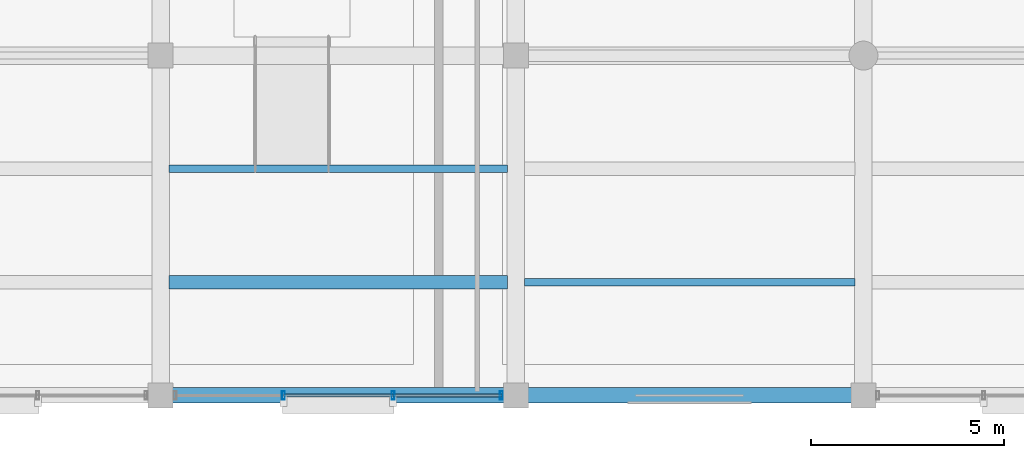
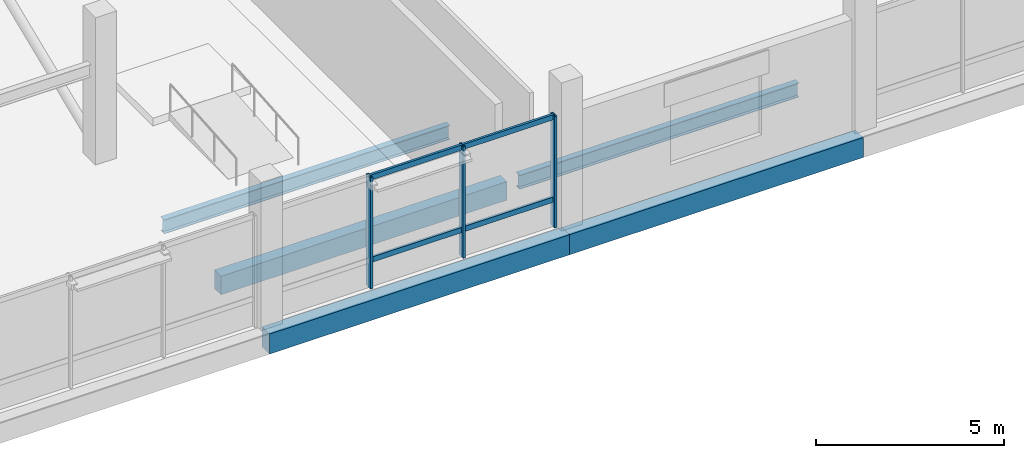
# One storey, part 14 of 71: 7 members, 5 beams, 1 element without a shape of its own.
"""IFC4 building model written with IfcOpenShell, lengths in metres."""

import ifcopenshell
import ifcopenshell.guid

model = None  # the IFC model being written
_history = None  # IfcOwnerHistory: only IFC2X3 demands one
_inside = {}  # id of a spatial element -> (the spatial element, [elements in it])
_under = {}  # id of a project, library or spatial element -> (it, [spatial elements below it])
_declared = {}  # id of a project -> (the project, [libraries it declares])
_typed = {}  # id of a type object -> (the type object, [elements of that type])
_made_of = {}  # id of a material, layer set ... -> (it, [elements and type objects made of it])


def new_model(schema):
    """Start an empty IFC model of exactly this schema.

    Asked for "IFC4X3", IfcOpenShell would pick the latest addendum, in which some entities
    have other attributes; the version numbers below select the first issue.
    IFC2X3 requires an IfcOwnerHistory on every rooted entity: one is made here for all.
    """
    global model, _history
    if schema == "IFC4X3":
        model = ifcopenshell.file(schema_version=(4, 3, 0, 0))
    else:
        model = ifcopenshell.file(schema=schema)
    _inside.clear()
    _under.clear()
    _declared.clear()
    _typed.clear()
    _made_of.clear()
    _history = None
    if model.schema == "IFC2X3":
        org = make("IfcOrganization", Name="unknown")
        user = make(
            "IfcPersonAndOrganization",
            ThePerson=make("IfcPerson", FamilyName="unknown"),
            TheOrganization=org,
        )
        app = make(
            "IfcApplication",
            ApplicationDeveloper=org,
            Version="unknown",
            ApplicationFullName="unknown",
            ApplicationIdentifier="unknown",
        )
        _history = make(
            "IfcOwnerHistory",
            OwningUser=user,
            OwningApplication=app,
            ChangeAction="ADDED",
            CreationDate=0,
        )
    return model


def make(cls, **values):
    """One entity of the class cls with the attributes given. An attribute that is None is left unset."""
    return model.create_entity(
        cls, **{name: value for name, value in values.items() if value is not None}
    )


def rooted(cls, **values):
    """An entity with a GlobalId (a new one), such as an element, a storey or a relation."""
    return make(cls, GlobalId=ifcopenshell.guid.new(), OwnerHistory=_history, **values)


def si_unit(unit_type, name, prefix=None):
    """IfcSIUnit, for example si_unit("LENGTHUNIT", "METRE", prefix="MILLI")."""
    return make("IfcSIUnit", UnitType=unit_type, Prefix=prefix, Name=name)


def assignment(units):
    """IfcUnitAssignment: the units of a project."""
    return None if units is None else make("IfcUnitAssignment", Units=units)


def point(xyz):
    """IfcCartesianPoint."""
    return None if xyz is None else make("IfcCartesianPoint", Coordinates=xyz)


def direction(xyz):
    """IfcDirection."""
    return None if xyz is None else make("IfcDirection", DirectionRatios=xyz)


def frame(location, z_axis=None, x_axis=None):
    """IfcAxis2Placement3D, a coordinate frame: its origin and axes. An axis left out is left unset."""
    return make(
        "IfcAxis2Placement3D",
        Location=point(location),
        Axis=direction(z_axis),
        RefDirection=direction(x_axis),
    )


def frame_2d(location, x_axis=None):
    """IfcAxis2Placement2D, a coordinate frame in the plane: its origin and x axis."""
    return make(
        "IfcAxis2Placement2D", Location=point(location), RefDirection=direction(x_axis)
    )


def origin():
    """The frame at (0, 0, 0) with its axes left unset."""
    return frame((0.0, 0.0, 0.0))


def origin_2d():
    """The frame at (0, 0) in the plane with its x axis left unset."""
    return frame_2d((0.0, 0.0))


def place(relative_to, where):
    """IfcLocalPlacement: puts the frame where relative to a parent placement (None: the world)."""
    return make(
        "IfcLocalPlacement", PlacementRelTo=relative_to, RelativePlacement=where
    )


def context(
    kind, dimensions, precision=None, world=None, true_north=None, identifier=None
):
    """IfcGeometricRepresentationContext, for example the 3D "Model" context."""
    return make(
        "IfcGeometricRepresentationContext",
        ContextIdentifier=identifier,
        ContextType=kind,
        CoordinateSpaceDimension=dimensions,
        Precision=precision,
        WorldCoordinateSystem=world,
        TrueNorth=true_north,
    )


def subcontext(parent, identifier, kind, view, scale=None):
    """IfcGeometricRepresentationSubContext, for example "Body" below "Model"."""
    return make(
        "IfcGeometricRepresentationSubContext",
        ContextIdentifier=identifier,
        ContextType=kind,
        ParentContext=parent,
        TargetScale=scale,
        TargetView=view,
    )


def project(units=None, contexts=None):
    """IfcProject with its units and contexts."""
    return rooted(
        "IfcProject",
        Name="project",
        RepresentationContexts=contexts,
        UnitsInContext=assignment(units),
    )


def spatial(cls, under=None, at=None, **own):
    """A site, building, storey or space (cls), placed at a placement, below another one or the project."""
    s = rooted(cls, ObjectPlacement=at, **own)
    if under is not None:
        _under.setdefault(under.id(), (under, []))[1].append(s)
    return s


def profile(cls, at=None, kind="AREA", **sizes):
    """A parametric profile (cls). Its sizes go by their IFC names, for example OverallWidth=200.0."""
    return make(cls, ProfileType=kind, Position=at, **sizes)


def rectangle(**sizes):
    """IfcRectangleProfileDef."""
    return profile("IfcRectangleProfileDef", **sizes)


def hollow_rectangle(**sizes):
    """IfcRectangleHollowProfileDef."""
    return profile("IfcRectangleHollowProfileDef", **sizes)


def i_section(**sizes):
    """IfcIShapeProfileDef."""
    return profile("IfcIShapeProfileDef", **sizes)


def extrude(swept, where, along, depth):
    """IfcExtrudedAreaSolid: the profile swept, set in the frame where, extruded along a direction by depth."""
    return make(
        "IfcExtrudedAreaSolid",
        SweptArea=swept,
        Position=where,
        ExtrudedDirection=direction(along),
        Depth=depth,
    )


def shape(context_of_items, identifier, shape_type, items):
    """IfcShapeRepresentation: the items that make up one representation, for example the "Body"."""
    return make(
        "IfcShapeRepresentation",
        ContextOfItems=context_of_items,
        RepresentationIdentifier=identifier,
        RepresentationType=shape_type,
        Items=items,
    )


def material(Name=None, Category=None):
    """IfcMaterial."""
    return make("IfcMaterial", Name=Name, Category=Category)


def layer(
    of_material, thickness, ventilated=None, Name=None, Category=None, Priority=None
):
    """IfcMaterialLayer: one layer of a wall or slab, of a material (None: an air gap)."""
    return make(
        "IfcMaterialLayer",
        Material=of_material,
        LayerThickness=thickness,
        IsVentilated=ventilated,
        Name=Name,
        Category=Category,
        Priority=Priority,
    )


def layer_set(layers, Name=None):
    """IfcMaterialLayerSet."""
    return make("IfcMaterialLayerSet", MaterialLayers=layers, LayerSetName=Name)


def material_profile(
    of_material, cross_section, Name=None, Category=None, Priority=None
):
    """IfcMaterialProfile: a cross section and its material."""
    return make(
        "IfcMaterialProfile",
        Name=Name,
        Material=of_material,
        Profile=cross_section,
        Priority=Priority,
        Category=Category,
    )


def profile_set(profiles, Name=None, composite=None):
    """IfcMaterialProfileSet."""
    return make(
        "IfcMaterialProfileSet",
        Name=Name,
        MaterialProfiles=profiles,
        CompositeProfile=composite,
    )


def made_of(thing, what):
    """Note that an element or type object is made of a material, layer set ...; save() writes the relation."""
    if what is not None:
        _made_of.setdefault(what.id(), (what, []))[1].append(thing)
    return thing


def type_object(cls, material=None, **own):
    """A type object (cls), such as IfcWallType, which elements share."""
    return made_of(rooted(cls, **own), material)


def element(
    cls,
    number,
    at=None,
    inside=None,
    cuts=None,
    type_object=None,
    material=None,
    context=None,
    identifier="Body",
    shape_type=None,
    held_by="IfcProductDefinitionShape",
    body=None,
    shapes=None,
    **own,
):
    """One element of the class cls, such as IfcWall. Its Tag is "e" and its number.

    at: its placement. inside: the storey or other place that contains it. cuts: it is an
    opening in that element (IfcRelVoidsElement). A single representation is given by context,
    identifier, shape_type and body (its items); several are given by shapes. held_by: the class
    of the entity that holds the representations. save() writes the other relations.
    """
    e = rooted(cls, Tag="e%d" % number, ObjectPlacement=at, **own)
    if body is not None:
        shapes = [shape(context, identifier, shape_type, body)]
    if shapes is not None:
        e.Representation = make(held_by, Representations=shapes)
    if inside is not None:
        _inside.setdefault(inside.id(), (inside, []))[1].append(e)
    if cuts is not None:
        rooted(
            "IfcRelVoidsElement", RelatingBuildingElement=cuts, RelatedOpeningElement=e
        )
    if type_object is not None:
        _typed.setdefault(type_object.id(), (type_object, []))[1].append(e)
    return made_of(e, material)


def aggregate(whole, parts):
    """IfcRelAggregates: a whole, such as a stair, and the parts it consists of."""
    return rooted("IfcRelAggregates", RelatingObject=whole, RelatedObjects=parts)


def save(model, path):
    """Write the relations noted so far, then the file.

    IfcRelAggregates (storeys below a building ...), IfcRelContainedInSpatialStructure (elements
    in a storey), IfcRelDefinesByType, IfcRelAssociatesMaterial and IfcRelDeclares: one each for
    every whole, place, type object, material and project.
    """
    for whole, parts in _under.values():
        aggregate(whole, parts)
    for where, things in _inside.values():
        rooted(
            "IfcRelContainedInSpatialStructure",
            RelatedElements=things,
            RelatingStructure=where,
        )
    for kind, things in _typed.values():
        rooted("IfcRelDefinesByType", RelatedObjects=things, RelatingType=kind)
    for what, things in _made_of.values():
        rooted("IfcRelAssociatesMaterial", RelatedObjects=things, RelatingMaterial=what)
    for by, libraries in _declared.values():
        rooted("IfcRelDeclares", RelatingContext=by, RelatedDefinitions=libraries)
    model.write(path)


model = new_model("IFC4")

# Units and contexts
model_context = context("Model", 3, precision=1e-05, world=origin(), true_north=direction((0.0, 1.0)))
body_context = subcontext(model_context, "Body", "Model", "MODEL_VIEW")
ifc_project = project(units=[si_unit("LENGTHUNIT", "METRE"), si_unit("AREAUNIT", "SQUARE_METRE"), si_unit("VOLUMEUNIT", "CUBIC_METRE"), si_unit("PLANEANGLEUNIT", "RADIAN"), si_unit("MASSUNIT", "GRAM", prefix="KILO")], contexts=[model_context])

# Site, building, storey
site_placement = place(None, origin())
site = spatial("IfcSite", under=ifc_project, at=site_placement, CompositionType="ELEMENT")
building_placement = place(site_placement, origin())
building = spatial("IfcBuilding", under=site, at=building_placement, Name="Meriwether Solvik Hall", CompositionType="ELEMENT")
storey_placement = place(building_placement, frame((0.0, 0.0, 5.10009765625)))
storey = spatial("IfcBuildingStorey", under=building, at=storey_placement, Name="L01", CompositionType="ELEMENT", Elevation=5.10009765625)

# Beams
ifc_material_1 = material(Name="Concrete C40/50", Category="concrete")
ifc_material_profile_1 = material_profile(ifc_material_1, rectangle(XDim=0.35009765625, YDim=0.60009765625, at=origin_2d()), Name="RCB-350X600")
ifc_profile_set_1 = profile_set([ifc_material_profile_1], Name="Concrete C40/50")
beam_type_1 = type_object("IfcBeamType", Name="BM-RC-350X600", PredefinedType="JOIST", material=ifc_profile_set_1)
beam_1_placement = place(storey_placement, frame((68.820068359375, 8.13330078125, -0.60009765625), z_axis=(1.0, 0.0, 0.0), x_axis=(0.0, 1.0, 0.0)))
element("IfcBeam", 1, at=beam_1_placement, inside=storey, type_object=beam_type_1, Name="Secondary Floor Joist 8/A_J1 (L01)", PredefinedType="JOIST", context=body_context, shape_type="SweptSolid", body=[
    extrude(rectangle(XDim=0.35009765625, YDim=0.60009765625, at=origin_2d()), origin(), (0.0, 0.0, 1.0), 8.760009765625),
])
ifc_material_2 = material(Name="Concrete C40/50", Category="concrete")
ifc_material_profile_2 = material_profile(ifc_material_2, rectangle(XDim=0.39990234375, YDim=0.64990234375, at=origin_2d()), Name="RCB-400X650")
ifc_profile_set_2 = profile_set([ifc_material_profile_2], Name="Concrete C40/50")
beam_type_2 = type_object("IfcBeamType", Name="BM-RC-400X650", PredefinedType="SPANDREL", material=ifc_profile_set_2)
beam_2_placement = place(storey_placement, frame((68.60009765625, 5.199951171875, -0.625), z_axis=(1.0, 0.0, 0.0), x_axis=(0.0, 1.0, 0.0)))
element("IfcBeam", 2, at=beam_2_placement, inside=storey, type_object=beam_type_2, Name="Podium Girder A:8-9 (L01)", PredefinedType="SPANDREL", context=body_context, shape_type="SweptSolid", body=[
    extrude(rectangle(XDim=0.39990234375, YDim=0.64990234375, at=origin_2d()), origin(), (0.0, 0.0, 1.0), 9.199951171875),
])
beam_3_placement = place(storey_placement, frame((77.800048828125, 5.199951171875, -0.625), z_axis=(1.0, 0.0, 0.0), x_axis=(0.0, 1.0, 0.0)))
element("IfcBeam", 3, at=beam_3_placement, inside=storey, type_object=beam_type_2, Name="Podium Girder A:9-10 (L01)", PredefinedType="SPANDREL", context=body_context, shape_type="SweptSolid", body=[
    extrude(rectangle(XDim=0.39990234375, YDim=0.64990234375, at=origin_2d()), origin(), (0.0, 0.0, 1.0), 9.0),
])
ifc_material_3 = material(Name="Steel A992 Grade 50", Category="steel")
ifc_material_profile_3 = material_profile(ifc_material_3, i_section(OverallWidth=0.19091796875, OverallDepth=0.45703125, WebThickness=0.009033203125, FlangeThickness=0.014404296875, at=origin_2d()), Name="W18X50")
ifc_profile_set_3 = profile_set([ifc_material_profile_3], Name="Steel A992 Grade 50")
beam_type_3 = type_object("IfcBeamType", Name="BM-STL-W18X50", PredefinedType="JOIST", material=ifc_profile_set_3)
beam_4_placement = place(storey_placement, frame((68.820068359375, 11.066650390625, -0.528564453125), z_axis=(1.0, 0.0, 0.0), x_axis=(0.0, 1.0, 0.0)))
element("IfcBeam", 4, at=beam_4_placement, inside=storey, type_object=beam_type_3, Name="Secondary Floor Joist 8/A_J2 (L01)", PredefinedType="JOIST", context=body_context, shape_type="SweptSolid", body=[
    extrude(i_section(OverallWidth=0.19091796875, OverallDepth=0.45703125, WebThickness=0.009033203125, FlangeThickness=0.014404296875, at=origin_2d()), origin(), (0.0, 0.0, 1.0), 8.760009765625),
])
beam_5_placement = place(storey_placement, frame((78.02001953125, 8.13330078125, -0.528564453125), z_axis=(1.0, 0.0, 0.0), x_axis=(0.0, 1.0, 0.0)))
element("IfcBeam", 5, at=beam_5_placement, inside=storey, type_object=beam_type_3, Name="Secondary Floor Joist 9/A_J1 (L01)", PredefinedType="JOIST", context=body_context, shape_type="SweptSolid", body=[
    extrude(i_section(OverallWidth=0.19091796875, OverallDepth=0.45703125, WebThickness=0.009033203125, FlangeThickness=0.014404296875, at=origin_2d()), origin(), (0.0, 0.0, 1.0), 8.56005859375),
])

# Curtain wall, members
ifc_material_4 = material(Name="Thermally Broken Anodised Aluminium 6063-T6 and Low-E Glass", Category="aluminium")
ifc_layer = layer(ifc_material_4, 0.179931640625)
ifc_layer_set = layer_set([ifc_layer], Name="Thermally Broken Anodised Aluminium 6063-T6 and Low-E Glass")
curtain_wall_type = type_object("IfcCurtainWallType", Name="CW-SF-POD-B", PredefinedType="USERDEFINED", material=ifc_layer_set)
curtain_wall_placement = place(storey_placement, origin())
curtain_wall = element("IfcCurtainWall", 6, at=curtain_wall_placement, inside=storey, type_object=curtain_wall_type, Name="Curtain Wall wing_XA_8_7 (L01)", ObjectType="STICK STOREFRONT GLAZING", PredefinedType="USERDEFINED")
ifc_material_5 = material(Name="Anodised Aluminium 6063-T6", Category="aluminium")
ifc_material_profile_4 = material_profile(ifc_material_5, hollow_rectangle(XDim=0.074951171875, YDim=0.219970703125, WallThickness=0.005615234375, at=origin_2d()), Name="CWM-75X220")
ifc_profile_set_4 = profile_set([ifc_material_profile_4], Name="Anodised Aluminium 6063-T6")
member_type_1 = type_object("IfcMemberType", Name="CW-MUL-75X220", PredefinedType="MULLION", material=ifc_profile_set_4)
member_1_placement = place(storey_placement, frame((77.425048828125, 5.199951171875, 0.0), z_axis=(0.0, 0.0, 1.0), x_axis=(-1.0, 0.0, 0.0)))
member_1 = element("IfcMember", 7, at=member_1_placement, type_object=member_type_1, Name="Curtain Wall Mullion 1", PredefinedType="MULLION", context=body_context, shape_type="SweptSolid", body=[
    extrude(hollow_rectangle(XDim=0.074951171875, YDim=0.219970703125, WallThickness=0.005615234375, at=origin_2d()), origin(), (0.0, 0.0, 1.0), 3.60986328125),
])
member_2_placement = place(storey_placement, frame((74.62109375, 5.199951171875, 0.0), z_axis=(0.0, 0.0, 1.0), x_axis=(-1.0, 0.0, 0.0)))
member_2 = element("IfcMember", 8, at=member_2_placement, type_object=member_type_1, Name="Curtain Wall Mullion 2", PredefinedType="MULLION", context=body_context, shape_type="SweptSolid", body=[
    extrude(hollow_rectangle(XDim=0.074951171875, YDim=0.219970703125, WallThickness=0.005615234375, at=origin_2d()), origin(), (0.0, 0.0, 1.0), 3.60986328125),
])
member_3_placement = place(storey_placement, frame((71.779052734375, 5.199951171875, 0.0), z_axis=(0.0, 0.0, 1.0), x_axis=(-1.0, 0.0, 0.0)))
member_3 = element("IfcMember", 9, at=member_3_placement, type_object=member_type_1, Name="Curtain Wall Mullion 3", PredefinedType="MULLION", context=body_context, shape_type="SweptSolid", body=[
    extrude(hollow_rectangle(XDim=0.074951171875, YDim=0.219970703125, WallThickness=0.005615234375, at=origin_2d()), origin(), (0.0, 0.0, 1.0), 3.60986328125),
])
ifc_material_6 = material(Name="Anodised Aluminium 6063-T6", Category="aluminium")
ifc_material_profile_5 = material_profile(ifc_material_6, hollow_rectangle(XDim=0.074951171875, YDim=0.169921875, WallThickness=0.005615234375, at=origin_2d()), Name="CWT-75X170")
ifc_profile_set_5 = profile_set([ifc_material_profile_5], Name="Anodised Aluminium 6063-T6")
member_type_2 = type_object("IfcMemberType", Name="CW-TRN-75X170", PredefinedType="USERDEFINED", material=ifc_profile_set_5)
member_4_placement = place(storey_placement, frame((77.425048828125, 5.199951171875, 0.8798828125), z_axis=(-1.0, 0.0, 0.0), x_axis=(0.0, -1.0, 0.0)))
member_4 = element("IfcMember", 10, at=member_4_placement, type_object=member_type_2, Name="Curtain Wall Transom 1-sill", ObjectType="TRANSOM", PredefinedType="USERDEFINED", context=body_context, shape_type="SweptSolid", body=[
    extrude(hollow_rectangle(XDim=0.074951171875, YDim=0.169921875, WallThickness=0.005615234375, at=origin_2d()), origin(), (0.0, 0.0, 1.0), 2.803955078125),
])
member_5_placement = place(storey_placement, frame((77.425048828125, 5.199951171875, 3.5498046875), z_axis=(-1.0, 0.0, 0.0), x_axis=(0.0, -1.0, 0.0)))
member_5 = element("IfcMember", 11, at=member_5_placement, type_object=member_type_2, Name="Curtain Wall Transom 1-head", ObjectType="TRANSOM", PredefinedType="USERDEFINED", context=body_context, shape_type="SweptSolid", body=[
    extrude(hollow_rectangle(XDim=0.074951171875, YDim=0.169921875, WallThickness=0.005615234375, at=origin_2d()), origin(), (0.0, 0.0, 1.0), 2.803955078125),
])
member_6_placement = place(storey_placement, frame((74.62109375, 5.199951171875, 0.8798828125), z_axis=(-1.0, 0.0, 0.0), x_axis=(0.0, -1.0, 0.0)))
member_6 = element("IfcMember", 12, at=member_6_placement, type_object=member_type_2, Name="Curtain Wall Transom 2-sill", ObjectType="TRANSOM", PredefinedType="USERDEFINED", context=body_context, shape_type="SweptSolid", body=[
    extrude(hollow_rectangle(XDim=0.074951171875, YDim=0.169921875, WallThickness=0.005615234375, at=origin_2d()), origin(), (0.0, 0.0, 1.0), 2.842041015625),
])
member_7_placement = place(storey_placement, frame((74.62109375, 5.199951171875, 3.5498046875), z_axis=(-1.0, 0.0, 0.0), x_axis=(0.0, -1.0, 0.0)))
member_7 = element("IfcMember", 13, at=member_7_placement, type_object=member_type_2, Name="Curtain Wall Transom 2-head", ObjectType="TRANSOM", PredefinedType="USERDEFINED", context=body_context, shape_type="SweptSolid", body=[
    extrude(hollow_rectangle(XDim=0.074951171875, YDim=0.169921875, WallThickness=0.005615234375, at=origin_2d()), origin(), (0.0, 0.0, 1.0), 2.842041015625),
])
aggregate(curtain_wall, [member_1, member_2, member_3, member_4, member_5, member_6, member_7])

save(model, "model.ifc")
